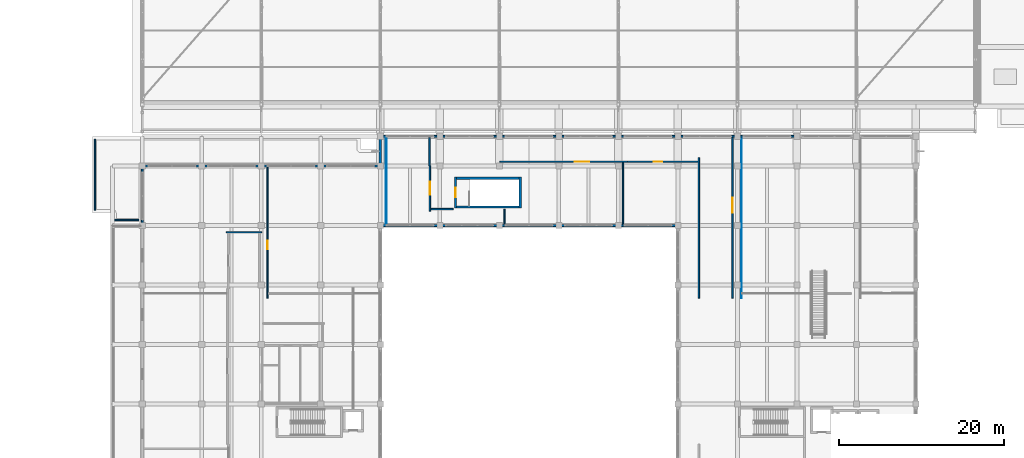
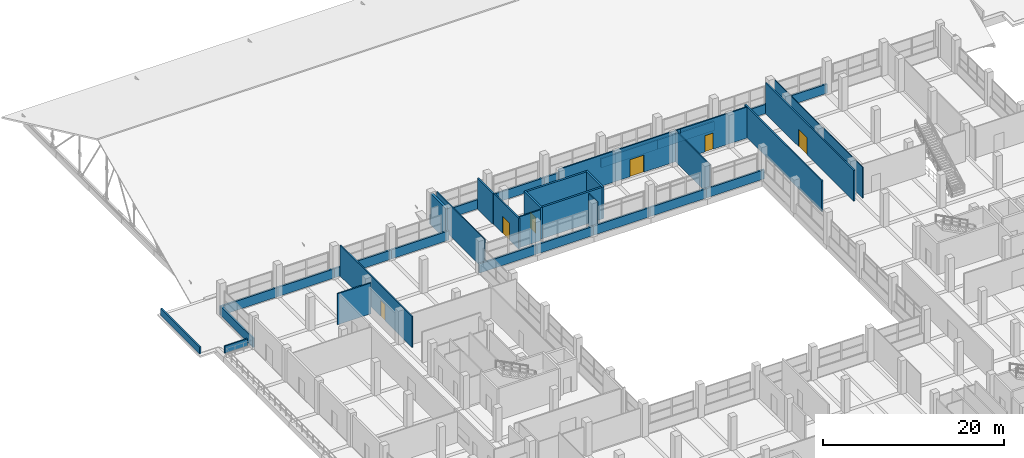
# One storey, part 132 of 141: 37 walls, 6 doors, 6 openings.
"""IFC4 building model written with IfcOpenShell, lengths in metres."""

from ifc_helpers import new_model, si_unit, direction, frame, frame_2d, origin, place, context, subcontext, project, spatial, rectangle, extrude, material, layer, layer_set, type_object, element, fill, save


model = new_model("IFC4")

# Units and contexts
model_context = context("Model", 3, precision=1e-05, world=origin(), true_north=direction((0.0, 1.0)))
body_context = subcontext(model_context, "Body", "Model", "MODEL_VIEW")
ifc_project = project(units=[si_unit("LENGTHUNIT", "METRE"), si_unit("AREAUNIT", "SQUARE_METRE"), si_unit("VOLUMEUNIT", "CUBIC_METRE"), si_unit("PLANEANGLEUNIT", "RADIAN"), si_unit("MASSUNIT", "GRAM", prefix="KILO")], contexts=[model_context])

# Site, building, storey
site_placement = place(None, origin())
site = spatial("IfcSite", under=ifc_project, at=site_placement, CompositionType="ELEMENT")
building_placement = place(site_placement, origin())
building = spatial("IfcBuilding", under=site, at=building_placement, Name="Seraya Terrace Polytechnic", CompositionType="ELEMENT")
storey_placement = place(building_placement, frame((0.0, 0.0, 14.39990234375)))
storey = spatial("IfcBuildingStorey", under=building, at=storey_placement, Name="L03", CompositionType="ELEMENT", Elevation=14.39990234375)

# Walls
ifc_material_1 = material(Name="Precast concrete C40/50", Category="concrete")
ifc_layer_1 = layer(ifc_material_1, 0.280029296875, Name="EW-02")
ifc_layer_set_1 = layer_set([ifc_layer_1], Name="Precast concrete C40/50")
wall_type_1 = type_object("IfcWallType", Name="EW-02", PredefinedType="SOLIDWALL", material=ifc_layer_set_1)
wall_1_placement = place(storey_placement, frame((43.199951171875, 72.152099609375, 0.0), z_axis=(0.0, 0.0, 1.0), x_axis=(0.0, 1.0, 0.0)))
element("IfcWall", 1, at=wall_1_placement, inside=storey, type_object=wall_type_1, Name="Exterior structural wall EW-02 L03", PredefinedType="SOLIDWALL", context=body_context, shape_type="SweptSolid", body=[
    extrude(rectangle(XDim=3.2958984375, YDim=0.280029296875, at=frame_2d((1.64794921875, 0.0))), origin(), (0.0, 0.0, 1.0), 4.22021484375),
])
ifc_layer_2 = layer(ifc_material_1, 0.219970703125, Name="EW-05")
ifc_layer_set_2 = layer_set([ifc_layer_2], Name="Precast concrete C40/50")
wall_type_2 = type_object("IfcWallType", Name="EW-05", PredefinedType="SOLIDWALL", material=ifc_layer_set_2)
wall_2_placement = place(storey_placement, frame((14.39990234375, 64.800048828125, 0.0), z_axis=(0.0, 0.0, 1.0), x_axis=(0.0, 1.0, 0.0)))
element("IfcWall", 2, at=wall_2_placement, inside=storey, type_object=wall_type_2, Name="Precast spandrel wall L03", PredefinedType="SOLIDWALL", context=body_context, shape_type="SweptSolid", body=[
    extrude(rectangle(XDim=7.0478515625, YDim=0.219970703125, at=frame_2d((3.52392578125, 0.0))), origin(), (0.0, 0.0, 1.0), 1.239990234375),
])
wall_3_placement = place(storey_placement, frame((14.25, 72.0, 0.0), z_axis=(0.0, 0.0, 1.0), x_axis=(1.0, 0.0, 0.0)))
element("IfcWall", 3, at=wall_3_placement, inside=storey, type_object=wall_type_2, Name="Precast spandrel wall L03", PredefinedType="SOLIDWALL", context=body_context, shape_type="SweptSolid", body=[
    extrude(rectangle(XDim=7.35009765625, YDim=0.219970703125, at=frame_2d((3.675048828125, 0.0))), origin(), (0.0, 0.0, 1.0), 1.239990234375),
])
for number, where, z_axis, x_axis, name in (
    (4, (21.60009765625, 72.0, 0.0), (0.0, 0.0, 1.0), (1.0, 0.0, 0.0), "Precast spandrel wall L03"),
    (5, (28.800048828125, 72.0, 0.0), (0.0, 0.0, 1.0), (1.0, 0.0, 0.0), "Precast spandrel wall L03"),
):
    element("IfcWall", number, at=place(storey_placement, frame(where, z_axis=z_axis, x_axis=x_axis)), inside=storey, type_object=wall_type_2, Name=name, PredefinedType="SOLIDWALL", context=body_context, shape_type="SweptSolid", body=[
        extrude(rectangle(XDim=7.199951171875, YDim=0.219970703125, at=frame_2d((3.60009765625, 0.0))), origin(), (0.0, 0.0, 1.0), 1.239990234375),
    ])
wall_4_placement = place(storey_placement, frame((36.0, 72.0, 0.0), z_axis=(0.0, 0.0, 1.0), x_axis=(1.0, 0.0, 0.0)))
element("IfcWall", 6, at=wall_4_placement, inside=storey, type_object=wall_type_2, Name="Precast spandrel wall L03", PredefinedType="SOLIDWALL", context=body_context, shape_type="SweptSolid", body=[
    extrude(rectangle(XDim=7.35009765625, YDim=0.219970703125, at=frame_2d((3.675048828125, 0.0))), origin(), (0.0, 0.0, 1.0), 1.239990234375),
])
wall_5_placement = place(storey_placement, frame((43.050048828125, 75.60009765625, 0.0), z_axis=(0.0, 0.0, 1.0), x_axis=(1.0, 0.0, 0.0)))
element("IfcWall", 7, at=wall_5_placement, inside=storey, type_object=wall_type_2, Name="Precast spandrel wall L03", PredefinedType="SOLIDWALL", context=body_context, shape_type="SweptSolid", body=[
    extrude(rectangle(XDim=7.349853515625, YDim=0.219970703125, at=frame_2d((3.6748046875, 0.0))), origin(), (0.0, 0.0, 1.0), 1.239990234375),
])
wall_6_placement = place(storey_placement, frame((50.39990234375, 75.60009765625, 0.0), z_axis=(0.0, 0.0, 1.0), x_axis=(1.0, 0.0, 0.0)))
element("IfcWall", 8, at=wall_6_placement, inside=storey, type_object=wall_type_2, Name="Precast spandrel wall L03", PredefinedType="SOLIDWALL", context=body_context, shape_type="SweptSolid", body=[
    extrude(rectangle(XDim=7.2001953125, YDim=0.219970703125, at=frame_2d((3.60009765625, 0.0))), origin(), (0.0, 0.0, 1.0), 1.239990234375),
])
for number, where, z_axis, x_axis, name in (
    (9, (57.60009765625, 75.60009765625, 0.0), (0.0, 0.0, 1.0), (1.0, 0.0, 0.0), "Precast spandrel wall L03"),
    (10, (64.800048828125, 75.60009765625, 0.0), (0.0, 0.0, 1.0), (1.0, 0.0, 0.0), "Precast spandrel wall L03"),
    (11, (72.0, 75.60009765625, 0.0), (0.0, 0.0, 1.0), (1.0, 0.0, 0.0), "Precast spandrel wall L03"),
    (12, (79.199951171875, 75.60009765625, 0.0), (0.0, 0.0, 1.0), (1.0, 0.0, 0.0), "Precast spandrel wall L03"),
):
    element("IfcWall", number, at=place(storey_placement, frame(where, z_axis=z_axis, x_axis=x_axis)), inside=storey, type_object=wall_type_2, Name=name, PredefinedType="SOLIDWALL", context=body_context, shape_type="SweptSolid", body=[
        extrude(rectangle(XDim=7.199951171875, YDim=0.219970703125, at=frame_2d((3.60009765625, 0.0))), origin(), (0.0, 0.0, 1.0), 1.239990234375),
    ])
wall_7_placement = place(storey_placement, frame((86.39990234375, 75.60009765625, 0.0), z_axis=(0.0, 0.0, 1.0), x_axis=(1.0, 0.0, 0.0)))
element("IfcWall", 13, at=wall_7_placement, inside=storey, type_object=wall_type_2, Name="Precast spandrel wall L03", PredefinedType="SOLIDWALL", context=body_context, shape_type="SweptSolid", body=[
    extrude(rectangle(XDim=7.2001953125, YDim=0.219970703125, at=frame_2d((3.60009765625, 0.0))), origin(), (0.0, 0.0, 1.0), 1.239990234375),
])
wall_8_placement = place(storey_placement, frame((79.35009765625, 64.800048828125, 0.0), z_axis=(0.0, 0.0, 1.0), x_axis=(-1.0, 0.0, 0.0)))
element("IfcWall", 14, at=wall_8_placement, inside=storey, type_object=wall_type_2, Name="Precast spandrel wall L03", PredefinedType="SOLIDWALL", context=body_context, shape_type="SweptSolid", body=[
    extrude(rectangle(XDim=7.35009765625, YDim=0.219970703125, at=frame_2d((3.675048828125, 0.0))), origin(), (0.0, 0.0, 1.0), 1.239990234375),
])
for number, where, z_axis, x_axis, name in (
    (15, (72.0, 64.800048828125, 0.0), (0.0, 0.0, 1.0), (-1.0, 0.0, 0.0), "Precast spandrel wall L03"),
    (16, (64.800048828125, 64.800048828125, 0.0), (0.0, 0.0, 1.0), (-1.0, 0.0, 0.0), "Precast spandrel wall L03"),
):
    element("IfcWall", number, at=place(storey_placement, frame(where, z_axis=z_axis, x_axis=x_axis)), inside=storey, type_object=wall_type_2, Name=name, PredefinedType="SOLIDWALL", context=body_context, shape_type="SweptSolid", body=[
        extrude(rectangle(XDim=7.199951171875, YDim=0.219970703125, at=frame_2d((3.60009765625, 0.0))), origin(), (0.0, 0.0, 1.0), 1.239990234375),
    ])
wall_9_placement = place(storey_placement, frame((57.60009765625, 64.800048828125, 0.0), z_axis=(0.0, 0.0, 1.0), x_axis=(-1.0, 0.0, 0.0)))
element("IfcWall", 17, at=wall_9_placement, inside=storey, type_object=wall_type_2, Name="Precast spandrel wall L03", PredefinedType="SOLIDWALL", context=body_context, shape_type="SweptSolid", body=[
    extrude(rectangle(XDim=7.2001953125, YDim=0.219970703125, at=frame_2d((3.60009765625, 0.0))), origin(), (0.0, 0.0, 1.0), 1.239990234375),
])
wall_10_placement = place(storey_placement, frame((50.39990234375, 64.800048828125, 0.0), z_axis=(0.0, 0.0, 1.0), x_axis=(-1.0, 0.0, 0.0)))
element("IfcWall", 18, at=wall_10_placement, inside=storey, type_object=wall_type_2, Name="Precast spandrel wall L03", PredefinedType="SOLIDWALL", context=body_context, shape_type="SweptSolid", body=[
    extrude(rectangle(XDim=7.349853515625, YDim=0.219970703125, at=frame_2d((3.6748046875, 0.0))), origin(), (0.0, 0.0, 1.0), 1.239990234375),
])

# Wall, opening, door
ifc_material_2 = material(Name="Autoclaved aerated concrete blockwork", Category="masonry")
ifc_layer_3 = layer(ifc_material_2, 0.169921875, Name="PT-02")
ifc_layer_set_3 = layer_set([ifc_layer_3], Name="Autoclaved aerated concrete blockwork")
wall_type_3 = type_object("IfcWallType", Name="PT-02", PredefinedType="PARTITIONING", material=ifc_layer_set_3)
wall_11_placement = place(storey_placement, frame((85.800048828125, 56.0185546875, 0.0), z_axis=(0.0, 0.0, 1.0), x_axis=(0.0, 1.0, 0.0)))
wall_11 = element("IfcWall", 19, at=wall_11_placement, inside=storey, type_object=wall_type_3, Name="Internal partition PT-02 L03", PredefinedType="PARTITIONING", context=body_context, shape_type="SweptSolid", body=[
    extrude(rectangle(XDim=19.45947265625, YDim=0.169921875, at=frame_2d((9.729736328125, 0.0))), origin(), (0.0, 0.0, 1.0), 4.16015625),
])
opening_1_placement = place(wall_11_placement, frame((10.32080078125, 0.0, 0.0)))
opening_1 = element("IfcOpeningElement", 20, at=opening_1_placement, cuts=wall_11, Name="Opening ID-15", PredefinedType="OPENING", context=body_context, shape_type="SweptSolid", body=[
    extrude(rectangle(XDim=1.840087890625, YDim=2.300048828125, at=frame_2d((0.919921875, 1.14990234375))), frame((0.0, 0.096923828125, 0.0), z_axis=(0.0, -1.0, 0.0), x_axis=(1.0, 0.0, 0.0)), (0.0, 0.0, 1.0), 0.19384765625),
])
ifc_material_3 = material(Name="Malaysian dark red meranti hardwood timber D40", Category="wood")
door_type_1 = type_object("IfcDoorType", Name="ID-15", OperationType="DOUBLE_DOOR_SINGLE_SWING", PredefinedType="DOOR", material=ifc_material_3)
door_1_placement = place(opening_1_placement, origin())
door_1 = element("IfcDoor", 21, at=door_1_placement, inside=storey, type_object=door_type_1, Name="Door ID-15 DR-INT-L03-0204 in WL-INT-L03-0572", OperationType="DOUBLE_DOOR_SINGLE_SWING", OverallHeight=2.300048828125, OverallWidth=1.840087890625, PredefinedType="DOOR", context=body_context, shape_type="SweptSolid", body=[
    extrude(rectangle(XDim=1.840087890625, YDim=2.300048828125, at=frame_2d((0.919921875, 1.14990234375))), frame((0.0, 0.02490234375, 0.0), z_axis=(0.0, -1.0, 0.0), x_axis=(1.0, 0.0, 0.0)), (0.0, 0.0, 1.0), 0.050048828125),
])
fill(opening_1, door_1)

# Walls
wall_12_placement = place(storey_placement, frame((81.72998046875, 56.030029296875, 0.0), z_axis=(0.0, 0.0, 1.0), x_axis=(0.0, 1.0, 0.0)))
element("IfcWall", 22, at=wall_12_placement, inside=storey, type_object=wall_type_3, Name="Internal partition PT-02 L03", PredefinedType="PARTITIONING", context=body_context, shape_type="SweptSolid", body=[
    extrude(rectangle(XDim=16.989990234375, YDim=0.169921875, at=frame_2d((8.4951171875, 0.0))), origin(), (0.0, 0.0, 1.0), 4.16015625),
])
wall_13_placement = place(storey_placement, frame((49.1298828125, 72.0400390625, 0.0), z_axis=(0.0, 0.0, 1.0), x_axis=(0.0, 1.0, 0.0)))
element("IfcWall", 23, at=wall_13_placement, inside=storey, type_object=wall_type_3, Name="Internal partition PT-02 L03", PredefinedType="PARTITIONING", context=body_context, shape_type="SweptSolid", body=[
    extrude(rectangle(XDim=3.43798828125, YDim=0.169921875, at=frame_2d((1.718994140625, 0.0))), origin(), (0.0, 0.0, 1.0), 4.16015625),
])

# Wall, opening, door
wall_14_placement = place(storey_placement, frame((57.67138671875, 72.530029296875, 0.0), z_axis=(0.0, 0.0, 1.0), x_axis=(1.0, 0.0, 0.0)))
wall_14 = element("IfcWall", 24, at=wall_14_placement, inside=storey, type_object=wall_type_3, Name="Internal partition PT-02 L03", PredefinedType="PARTITIONING", context=body_context, shape_type="SweptSolid", body=[
    extrude(rectangle(XDim=15.457275390625, YDim=0.169921875, at=frame_2d((7.728515625, 0.0))), origin(), (0.0, 0.0, 1.0), 4.16015625),
])
opening_2_placement = place(wall_14_placement, frame((9.048583984375, 0.0, 0.0)))
opening_2 = element("IfcOpeningElement", 25, at=opening_2_placement, cuts=wall_14, Name="Opening ID-14", PredefinedType="OPENING", context=body_context, shape_type="SweptSolid", body=[
    extrude(rectangle(XDim=1.760009765625, YDim=2.300048828125, at=frame_2d((0.8798828125, 1.14990234375))), frame((0.0, 0.096923828125, 0.0), z_axis=(0.0, -1.0, 0.0), x_axis=(1.0, 0.0, 0.0)), (0.0, 0.0, 1.0), 0.19384765625),
])
door_type_2 = type_object("IfcDoorType", Name="ID-14", OperationType="DOUBLE_DOOR_SINGLE_SWING", PredefinedType="DOOR", material=ifc_material_3)
door_2_placement = place(opening_2_placement, frame((1.760009765625, 0.0, 0.0), z_axis=(0.0, 0.0, 1.0), x_axis=(-1.0, 0.0, 0.0)))
door_2 = element("IfcDoor", 26, at=door_2_placement, inside=storey, type_object=door_type_2, Name="Door ID-14 DR-INT-L03-0187 in WL-INT-L03-0577", OperationType="DOUBLE_DOOR_SINGLE_SWING", OverallHeight=2.300048828125, OverallWidth=1.760009765625, PredefinedType="DOOR", context=body_context, shape_type="SweptSolid", body=[
    extrude(rectangle(XDim=1.760009765625, YDim=2.300048828125, at=frame_2d((0.8798828125, 1.14990234375))), frame((0.0, 0.02490234375, 0.0), z_axis=(0.0, -1.0, 0.0), x_axis=(1.0, 0.0, 0.0)), (0.0, 0.0, 1.0), 0.050048828125),
])
fill(opening_2, door_2)

wall_15_placement = place(storey_placement, frame((73.128662109375, 72.530029296875, 0.0), z_axis=(0.0, 0.0, 1.0), x_axis=(1.0, 0.0, 0.0)))
wall_15 = element("IfcWall", 27, at=wall_15_placement, inside=storey, type_object=wall_type_3, Name="Internal partition PT-02 L03", PredefinedType="PARTITIONING", context=body_context, shape_type="SweptSolid", body=[
    extrude(rectangle(XDim=8.501220703125, YDim=0.169921875, at=frame_2d((4.25048828125, 0.0))), origin(), (0.0, 0.0, 1.0), 4.16015625),
])
opening_3_placement = place(wall_15_placement, frame((3.130615234375, 0.0, 0.0)))
opening_3 = element("IfcOpeningElement", 28, at=opening_3_placement, cuts=wall_15, Name="Opening ID-04", PredefinedType="OPENING", context=body_context, shape_type="SweptSolid", body=[
    extrude(rectangle(XDim=1.0400390625, YDim=2.179931640625, at=frame_2d((0.52001953125, 1.08984375))), frame((0.0, 0.096923828125, 0.0), z_axis=(0.0, -1.0, 0.0), x_axis=(1.0, 0.0, 0.0)), (0.0, 0.0, 1.0), 0.19384765625),
])
door_type_3 = type_object("IfcDoorType", Name="ID-04", OperationType="NOTDEFINED", PredefinedType="DOOR", material=ifc_material_3)
door_3_placement = place(opening_3_placement, frame((1.0400390625, 0.0, 0.0), z_axis=(0.0, 0.0, 1.0), x_axis=(-1.0, 0.0, 0.0)))
door_3 = element("IfcDoor", 29, at=door_3_placement, inside=storey, type_object=door_type_3, Name="Door ID-04 DR-INT-L03-0193 in WL-INT-L03-0578", OperationType="SINGLE_SWING_RIGHT", OverallHeight=2.179931640625, OverallWidth=1.0400390625, PredefinedType="DOOR", context=body_context, shape_type="SweptSolid", body=[
    extrude(rectangle(XDim=1.0400390625, YDim=2.179931640625, at=frame_2d((0.52001953125, 1.08984375))), frame((0.0, 0.02490234375, 0.0), z_axis=(0.0, -1.0, 0.0), x_axis=(1.0, 0.0, 0.0)), (0.0, 0.0, 1.0), 0.050048828125),
])
fill(opening_3, door_3)

wall_16_placement = place(storey_placement, frame((49.199951171875, 66.56005859375, 0.0), z_axis=(0.0, 0.0, 1.0), x_axis=(0.0, 1.0, 0.0)))
wall_16 = element("IfcWall", 30, at=wall_16_placement, inside=storey, type_object=wall_type_3, Name="Internal partition PT-02 L03", PredefinedType="PARTITIONING", context=body_context, shape_type="SweptSolid", body=[
    extrude(rectangle(XDim=5.47998046875, YDim=0.169921875, at=frame_2d((2.739990234375, 0.0))), origin(), (0.0, 0.0, 1.0), 4.16015625),
])
opening_4_placement = place(wall_16_placement, frame((1.9599609375, 0.0, 0.0)))
opening_4 = element("IfcOpeningElement", 31, at=opening_4_placement, cuts=wall_16, Name="Opening ID-12", PredefinedType="OPENING", context=body_context, shape_type="SweptSolid", body=[
    extrude(rectangle(XDim=1.56005859375, YDim=2.260009765625, at=frame_2d((0.780029296875, 1.1298828125))), frame((0.0, 0.096923828125, 0.0), z_axis=(0.0, -1.0, 0.0), x_axis=(1.0, 0.0, 0.0)), (0.0, 0.0, 1.0), 0.19384765625),
])
door_type_4 = type_object("IfcDoorType", Name="ID-12", OperationType="DOUBLE_DOOR_SINGLE_SWING", PredefinedType="DOOR", material=ifc_material_3)
door_4_placement = place(opening_4_placement, frame((1.56005859375, 0.0, 0.0), z_axis=(0.0, 0.0, 1.0), x_axis=(-1.0, 0.0, 0.0)))
door_4 = element("IfcDoor", 32, at=door_4_placement, inside=storey, type_object=door_type_4, Name="Door ID-12 DR-INT-L03-0201 in WL-INT-L03-0579", OperationType="DOUBLE_DOOR_SINGLE_SWING", OverallHeight=2.260009765625, OverallWidth=1.56005859375, PredefinedType="DOOR", context=body_context, shape_type="SweptSolid", body=[
    extrude(rectangle(XDim=1.56005859375, YDim=2.260009765625, at=frame_2d((0.780029296875, 1.1298828125))), frame((0.0, 0.02490234375, 0.0), z_axis=(0.0, -1.0, 0.0), x_axis=(1.0, 0.0, 0.0)), (0.0, 0.0, 1.0), 0.050048828125),
])
fill(opening_4, door_4)

# Walls
wall_17_placement = place(storey_placement, frame((49.300048828125, 66.800048828125, 0.0), z_axis=(0.0, 0.0, 1.0), x_axis=(1.0, 0.0, 0.0)))
element("IfcWall", 33, at=wall_17_placement, inside=storey, type_object=wall_type_3, Name="Internal partition PT-02 L03", PredefinedType="PARTITIONING", context=body_context, shape_type="SweptSolid", body=[
    extrude(rectangle(XDim=2.709716796875, YDim=0.169921875, at=frame_2d((1.35498046875, 0.0))), origin(), (0.0, 0.0, 1.0), 4.16015625),
])
wall_18_placement = place(storey_placement, frame((24.56005859375, 64.0, 0.0), z_axis=(0.0, 0.0, 1.0), x_axis=(1.0, 0.0, 0.0)))
element("IfcWall", 34, at=wall_18_placement, inside=storey, type_object=wall_type_3, Name="Internal partition PT-02 L03", PredefinedType="PARTITIONING", context=body_context, shape_type="SweptSolid", body=[
    extrude(rectangle(XDim=4.280029296875, YDim=0.169921875, at=frame_2d((2.14013671875, 0.0))), origin(), (0.0, 0.0, 1.0), 4.16015625),
])

# Wall, opening, door
ifc_layer_4 = layer(ifc_material_2, 0.14990234375, Name="PT-03")
ifc_layer_set_4 = layer_set([ifc_layer_4], Name="Autoclaved aerated concrete blockwork")
wall_type_4 = type_object("IfcWallType", Name="PT-03", PredefinedType="PARTITIONING", material=ifc_layer_set_4)
wall_19_placement = place(storey_placement, frame((29.55712890625, 56.030029296875, 0.0), z_axis=(0.0, 0.0, 1.0), x_axis=(0.0, 1.0, 0.0)))
wall_19 = element("IfcWall", 35, at=wall_19_placement, inside=storey, type_object=wall_type_4, Name="Internal partition PT-03 L03", PredefinedType="PARTITIONING", context=body_context, shape_type="SweptSolid", body=[
    extrude(rectangle(XDim=15.847900390625, YDim=0.14990234375, at=frame_2d((7.923828125, 0.0))), origin(), (0.0, 0.0, 1.0), 4.16015625),
])
opening_5_placement = place(wall_19_placement, frame((5.919921875, 0.0, 0.0)))
opening_5 = element("IfcOpeningElement", 36, at=opening_5_placement, cuts=wall_19, Name="Opening ID-04", PredefinedType="OPENING", context=body_context, shape_type="SweptSolid", body=[
    extrude(rectangle(XDim=1.0400390625, YDim=2.179931640625, at=frame_2d((0.52001953125, 1.08984375))), frame((0.0, 0.0869140625, 0.0), z_axis=(0.0, -1.0, 0.0), x_axis=(1.0, 0.0, 0.0)), (0.0, 0.0, 1.0), 0.173828125),
])
door_5_placement = place(opening_5_placement, frame((1.0400390625, 0.0, 0.0), z_axis=(0.0, 0.0, 1.0), x_axis=(-1.0, 0.0, 0.0)))
door_5 = element("IfcDoor", 37, at=door_5_placement, inside=storey, type_object=door_type_3, Name="Door ID-04 DR-INT-L03-0209 in WL-INT-L03-0601", OperationType="SINGLE_SWING_RIGHT", OverallHeight=2.179931640625, OverallWidth=1.0400390625, PredefinedType="DOOR", context=body_context, shape_type="SweptSolid", body=[
    extrude(rectangle(XDim=1.0400390625, YDim=2.179931640625, at=frame_2d((0.52001953125, 1.08984375))), frame((0.0, 0.02490234375, 0.0), z_axis=(0.0, -1.0, 0.0), x_axis=(1.0, 0.0, 0.0)), (0.0, 0.0, 1.0), 0.050048828125),
])
fill(opening_5, door_5)

# Walls
wall_20_placement = place(storey_placement, frame((58.2314453125, 64.922119140625, 0.0), z_axis=(0.0, 0.0, 1.0), x_axis=(0.0, 1.0, 0.0)))
element("IfcWall", 38, at=wall_20_placement, inside=storey, type_object=wall_type_4, Name="Internal partition PT-03 L03", PredefinedType="PARTITIONING", context=body_context, shape_type="SweptSolid", body=[
    extrude(rectangle(XDim=1.847900390625, YDim=0.14990234375, at=frame_2d((0.923828125, 0.0))), origin(), (0.0, 0.0, 1.0), 4.16015625),
])
wall_21_placement = place(storey_placement, frame((72.568603515625, 64.922119140625, 0.0), z_axis=(0.0, 0.0, 1.0), x_axis=(0.0, 1.0, 0.0)))
element("IfcWall", 39, at=wall_21_placement, inside=storey, type_object=wall_type_4, Name="Internal partition PT-03 L03", PredefinedType="PARTITIONING", context=body_context, shape_type="SweptSolid", body=[
    extrude(rectangle(XDim=7.5078125, YDim=0.14990234375, at=frame_2d((3.75390625, 0.0))), origin(), (0.0, 0.0, 1.0), 4.16015625),
])
ifc_layer_5 = layer(ifc_material_2, 0.1201171875, Name="PT-05")
ifc_layer_set_5 = layer_set([ifc_layer_5], Name="Autoclaved aerated concrete blockwork")
wall_type_5 = type_object("IfcWallType", Name="PT-05", PredefinedType="PARTITIONING", material=ifc_layer_set_5)
wall_22_placement = place(storey_placement, frame((43.894287109375, 64.922119140625, 0.0), z_axis=(0.0, 0.0, 1.0), x_axis=(0.0, 1.0, 0.0)))
element("IfcWall", 40, at=wall_22_placement, inside=storey, type_object=wall_type_5, Name="Internal partition PT-05 L03", PredefinedType="PARTITIONING", context=body_context, shape_type="SweptSolid", body=[
    extrude(rectangle(XDim=10.555908203125, YDim=0.1201171875, at=frame_2d((5.27783203125, 0.0))), origin(), (0.0, 0.0, 1.0), 4.16015625),
])
ifc_layer_6 = layer(ifc_material_2, 0.10009765625, Name="PT-06")
ifc_layer_set_6 = layer_set([ifc_layer_6], Name="Autoclaved aerated concrete blockwork")
wall_type_6 = type_object("IfcWallType", Name="PT-06", PredefinedType="PARTITIONING", material=ifc_layer_set_6)
wall_23_placement = place(storey_placement, frame((86.90576171875, 56.030029296875, 0.0), z_axis=(0.0, 0.0, 1.0), x_axis=(0.0, 1.0, 0.0)))
element("IfcWall", 41, at=wall_23_placement, inside=storey, type_object=wall_type_6, Name="Internal partition PT-06 L03", PredefinedType="PARTITIONING", context=body_context, shape_type="SweptSolid", body=[
    extrude(rectangle(XDim=19.447998046875, YDim=0.10009765625, at=frame_2d((9.72412109375, 0.0))), origin(), (0.0, 0.0, 1.0), 4.16015625),
])
ifc_layer_7 = layer(ifc_material_1, 0.179931640625, Name="PW-P2")
ifc_layer_set_7 = layer_set([ifc_layer_7], Name="Precast concrete C40/50")
wall_type_7 = type_object("IfcWallType", Name="PW-P2", PredefinedType="PARAPET", material=ifc_layer_set_7)
wall_24_placement = place(storey_placement, frame((8.64990234375, 66.672119140625, 0.0), z_axis=(0.0, 0.0, 1.0), x_axis=(0.0, 1.0, 0.0)))
element("IfcWall", 42, at=wall_24_placement, inside=storey, type_object=wall_type_7, Name="Roof parapet ROOF-L03-WEST 6.1", PredefinedType="PARAPET", context=body_context, shape_type="SweptSolid", body=[
    extrude(rectangle(XDim=8.56787109375, YDim=0.179931640625, at=frame_2d((4.283935546875, 0.0))), origin(), (0.0, 0.0, 1.0), 0.9501953125),
])
wall_25_placement = place(storey_placement, frame((13.949951171875, 65.466552734375, 0.0), z_axis=(0.0, 0.0, 1.0), x_axis=(-0.999999401079, 0.001094459691, 0.0)))
element("IfcWall", 43, at=wall_25_placement, inside=storey, type_object=wall_type_7, Name="Roof parapet ROOF-L03-WEST 21.1", PredefinedType="PARAPET", context=body_context, shape_type="SweptSolid", body=[
    extrude(rectangle(XDim=2.89990234375, YDim=0.179931640625, at=frame_2d((1.449951171875, 0.0))), origin(), (0.0, 0.0, 1.0), 0.9501953125),
])

# Wall, opening, door
ifc_material_4 = material(Name="Concrete C40/50", Category="concrete")
ifc_layer_8 = layer(ifc_material_4, 0.25, Name="SW-02")
ifc_layer_set_8 = layer_set([ifc_layer_8], Name="Concrete C40/50")
wall_type_8 = type_object("IfcWallType", Name="SW-02", PredefinedType="SHEAR", material=ifc_layer_set_8)
wall_26_placement = place(storey_placement, frame((52.27490234375, 66.949951171875, 0.0), z_axis=(0.0, 0.0, 1.0), x_axis=(0.0, 1.0, 0.0)))
wall_26 = element("IfcWall", 44, at=wall_26_placement, inside=storey, type_object=wall_type_8, Name="Stairwell ST-06 West wall L03", PredefinedType="SHEAR", context=body_context, shape_type="SweptSolid", body=[
    extrude(rectangle(XDim=3.699951171875, YDim=0.25, at=frame_2d((1.85009765625, 0.0))), origin(), (0.0, 0.0, 1.0), 4.25),
])
opening_6_placement = place(wall_26_placement, frame((1.25, 0.0, 0.0)))
opening_6 = element("IfcOpeningElement", 45, at=opening_6_placement, cuts=wall_26, Name="Opening FD-01", PredefinedType="OPENING", context=body_context, shape_type="SweptSolid", body=[
    extrude(rectangle(XDim=1.199951171875, YDim=2.14990234375, at=frame_2d((0.60009765625, 1.074951171875))), frame((0.0, 0.136962890625, 0.0), z_axis=(0.0, -1.0, 0.0), x_axis=(1.0, 0.0, 0.0)), (0.0, 0.0, 1.0), 0.27392578125),
])
ifc_material_5 = material(Name="Steel S355J2", Category="steel")
door_type_5 = type_object("IfcDoorType", Name="FD-01", OperationType="NOTDEFINED", PredefinedType="DOOR", material=ifc_material_5)
door_6_placement = place(opening_6_placement, frame((1.199951171875, 0.0, 0.0), z_axis=(0.0, 0.0, 1.0), x_axis=(-1.0, 0.0, 0.0)))
door_6 = element("IfcDoor", 46, at=door_6_placement, inside=storey, type_object=door_type_5, Name="Door FD-01 DR-STR-ST-06-L03 in WL-STR-ST-06-L03-W", OperationType="SINGLE_SWING_RIGHT", OverallHeight=2.14990234375, OverallWidth=1.199951171875, PredefinedType="DOOR", context=body_context, shape_type="SweptSolid", body=[
    extrude(rectangle(XDim=1.199951171875, YDim=2.14990234375, at=frame_2d((0.60009765625, 1.074951171875))), frame((0.0, 0.02490234375, 0.0), z_axis=(0.0, -1.0, 0.0), x_axis=(1.0, 0.0, 0.0)), (0.0, 0.0, 1.0), 0.050048828125),
])
fill(opening_6, door_6)

# Walls
wall_27_placement = place(storey_placement, frame((60.125, 66.949951171875, 0.0), z_axis=(0.0, 0.0, 1.0), x_axis=(0.0, 1.0, 0.0)))
element("IfcWall", 47, at=wall_27_placement, inside=storey, type_object=wall_type_8, Name="Stairwell ST-06 East wall L03", PredefinedType="SHEAR", context=body_context, shape_type="SweptSolid", body=[
    extrude(rectangle(XDim=3.699951171875, YDim=0.25, at=frame_2d((1.85009765625, 0.0))), origin(), (0.0, 0.0, 1.0), 4.25),
])
for number, where, z_axis, x_axis, name in (
    (48, (52.39990234375, 67.074951171875, 0.0), (0.0, 0.0, 1.0), (1.0, 0.0, 0.0), "Stairwell ST-06 South wall L03"),
    (49, (52.39990234375, 70.52490234375, 0.0), (0.0, 0.0, 1.0), (1.0, 0.0, 0.0), "Stairwell ST-06 North wall L03"),
):
    element("IfcWall", number, at=place(storey_placement, frame(where, z_axis=z_axis, x_axis=x_axis)), inside=storey, type_object=wall_type_8, Name=name, PredefinedType="SHEAR", context=body_context, shape_type="SweptSolid", body=[
        extrude(rectangle(XDim=7.60009765625, YDim=0.25, at=frame_2d((3.800048828125, 0.0))), origin(), (0.0, 0.0, 1.0), 4.25),
    ])

save(model, "model.ifc")
